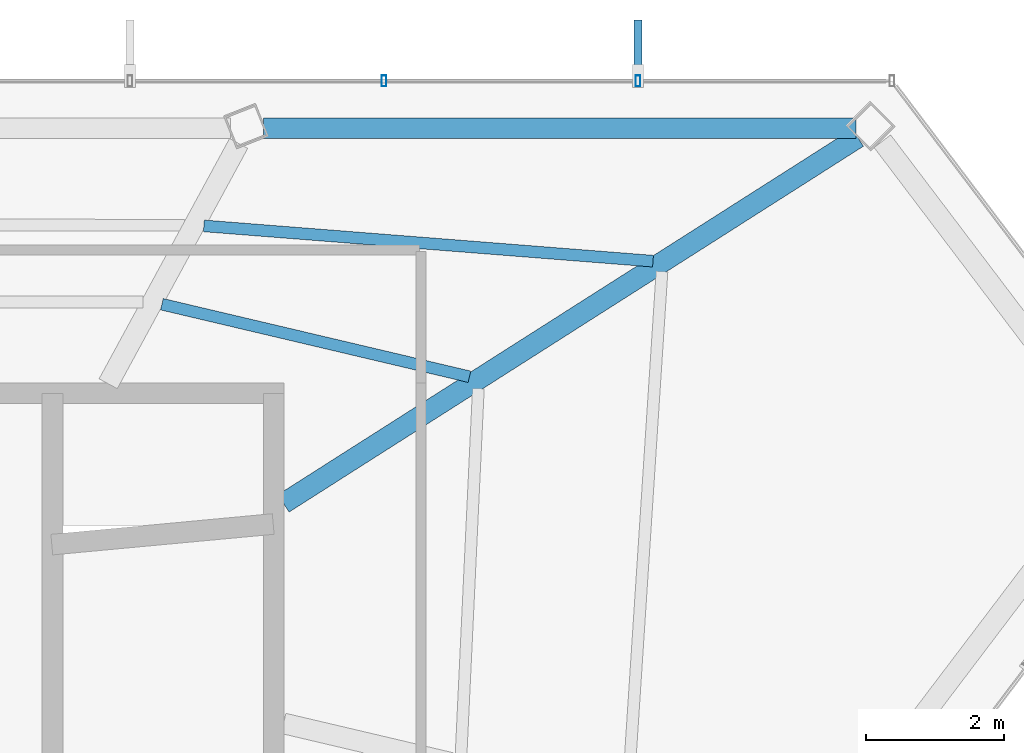
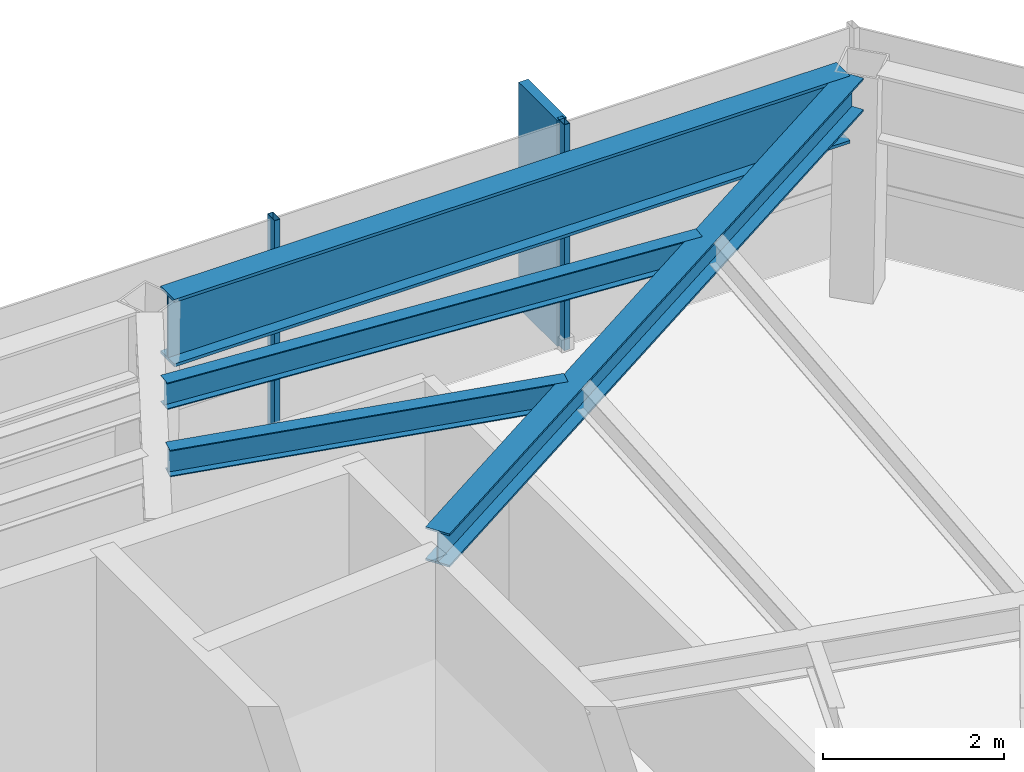
# One storey, part 19 of 24: 4 beams, 3 members, 1 element without a shape of its own.
"""IFC4 building model written with IfcOpenShell, lengths in metres."""

from ifc_helpers import new_model, si_unit, direction, frame, origin, origin_2d, place, context, subcontext, project, spatial, rectangle, hollow_rectangle, i_section, extrude, material, layer, layer_set, material_profile, profile_set, type_object, element, aggregate, save


model = new_model("IFC4")

# Units and contexts
model_context = context("Model", 3, precision=1e-05, world=origin(), true_north=direction((0.0, 1.0)))
body_context = subcontext(model_context, "Body", "Model", "MODEL_VIEW")
ifc_project = project(units=[si_unit("LENGTHUNIT", "METRE"), si_unit("AREAUNIT", "SQUARE_METRE"), si_unit("VOLUMEUNIT", "CUBIC_METRE"), si_unit("PLANEANGLEUNIT", "RADIAN"), si_unit("MASSUNIT", "GRAM", prefix="KILO")], contexts=[model_context])

# Site, building, storey
site_placement = place(None, origin())
site = spatial("IfcSite", under=ifc_project, at=site_placement, CompositionType="ELEMENT")
building_placement = place(site_placement, origin())
building = spatial("IfcBuilding", under=site, at=building_placement, Name="Zarrinselat Tower", CompositionType="ELEMENT")
storey_placement = place(building_placement, frame((0.0, 0.0, 249.56005859375)))
storey = spatial("IfcBuildingStorey", under=building, at=storey_placement, Name="L63", CompositionType="ELEMENT", Elevation=249.56005859375)

# Beams
ifc_material_1 = material(Name="Steel S355J2", Category="steel")
ifc_material_profile_1 = material_profile(ifc_material_1, i_section(OverallWidth=0.300048828125, OverallDepth=0.449951171875, WebThickness=0.013916015625, FlangeThickness=0.02587890625, at=origin_2d()), Name="HEB 450")
ifc_profile_set_1 = profile_set([ifc_material_profile_1], Name="Steel S355J2")
beam_type_1 = type_object("IfcBeamType", Name="BM-HEB450", PredefinedType="BEAM", material=ifc_profile_set_1)
beam_1_placement = place(storey_placement, frame((48.35009765625, 41.800048828125, 2.824951171875), z_axis=(0.843448246509, 0.537210438712, 0.0), x_axis=(-0.537210438712, 0.843448246509, 0.0)))
element("IfcBeam", 1, at=beam_1_placement, inside=storey, type_object=beam_type_1, Name="L63 Radial Primary Girder RG01", PredefinedType="BEAM", context=body_context, shape_type="SweptSolid", body=[
    extrude(i_section(OverallWidth=0.300048828125, OverallDepth=0.449951171875, WebThickness=0.013916015625, FlangeThickness=0.02587890625, at=origin_2d()), origin(), (0.0, 0.0, 1.0), 9.903076171875),
])
ifc_material_2 = material(Name="Steel S460M", Category="steel")
ifc_material_profile_2 = material_profile(ifc_material_2, i_section(OverallWidth=0.302001953125, OverallDepth=0.909912109375, WebThickness=0.02099609375, FlangeThickness=0.0400390625, at=origin_2d()), Name="HEM 900")
ifc_profile_set_2 = profile_set([ifc_material_profile_2], Name="Steel S460M")
beam_type_2 = type_object("IfcBeamType", Name="BM-HEM900", PredefinedType="BEAM", material=ifc_profile_set_2)
beam_2_placement = place(storey_placement, frame((48.05517578125, 47.255615234375, 2.594970703125), z_axis=(1.0, 0.0, 0.0), x_axis=(0.0, 1.0, 0.0)))
element("IfcBeam", 2, at=beam_2_placement, inside=storey, type_object=beam_type_2, Name="L63 Perimeter Spandrel Girder SP01", PredefinedType="BEAM", context=body_context, shape_type="SweptSolid", body=[
    extrude(i_section(OverallWidth=0.302001953125, OverallDepth=0.909912109375, WebThickness=0.02099609375, FlangeThickness=0.0400390625, at=origin_2d()), origin(), (0.0, 0.0, 1.0), 8.622314453125),
])
ifc_material_3 = material(Name="Steel S355J2", Category="steel")
ifc_material_profile_3 = material_profile(ifc_material_3, i_section(OverallWidth=0.169921875, OverallDepth=0.360107421875, WebThickness=0.008056640625, FlangeThickness=0.0126953125, at=origin_2d()), Name="IPE 360")
ifc_profile_set_3 = profile_set([ifc_material_profile_3], Name="Steel S355J2")
beam_type_3 = type_object("IfcBeamType", Name="BM-IPE360", PredefinedType="JOIST", material=ifc_profile_set_3)
beam_3_placement = place(storey_placement, frame((47.191650390625, 45.835205078125, 2.869873046875), z_axis=(0.996930684056, -0.078289278882, 0.0), x_axis=(0.078289278882, 0.996930684056, 0.0)))
element("IfcBeam", 3, at=beam_3_placement, inside=storey, type_object=beam_type_3, Name="L63 Composite Floor Joist 6-1", PredefinedType="JOIST", context=body_context, shape_type="SweptSolid", body=[
    extrude(i_section(OverallWidth=0.169921875, OverallDepth=0.360107421875, WebThickness=0.008056640625, FlangeThickness=0.0126953125, at=origin_2d()), origin(), (0.0, 0.0, 1.0), 6.5517578125),
])
beam_4_placement = place(storey_placement, frame((46.581298828125, 44.69580078125, 2.869873046875), z_axis=(0.973302772448, -0.229524972814, 0.0), x_axis=(0.229524972814, 0.973302772448, 0.0)))
element("IfcBeam", 4, at=beam_4_placement, inside=storey, type_object=beam_type_3, Name="L63 Composite Floor Joist 6-2", PredefinedType="JOIST", context=body_context, shape_type="SweptSolid", body=[
    extrude(i_section(OverallWidth=0.169921875, OverallDepth=0.360107421875, WebThickness=0.008056640625, FlangeThickness=0.0126953125, at=origin_2d()), origin(), (0.0, 0.0, 1.0), 4.594970703125),
])

# Curtain wall, members
ifc_material_4 = material(Name="Extruded Aluminium Alloy EN AW-6063 T6", Category="aluminium")
ifc_layer = layer(ifc_material_4, 0.169921875)
ifc_layer_set = layer_set([ifc_layer], Name="Extruded Aluminium Alloy EN AW-6063 T6")
curtain_wall_type = type_object("IfcCurtainWallType", Name="CWS-RES", PredefinedType="NOTDEFINED", material=ifc_layer_set)
curtain_wall_placement = place(storey_placement, origin())
curtain_wall = element("IfcCurtainWall", 5, at=curtain_wall_placement, inside=storey, type_object=curtain_wall_type, Name="L63 Unitised Curtain Wall CW-L63-E01", PredefinedType="NOTDEFINED")
ifc_material_5 = material(Name="Extruded Aluminium Alloy EN AW-6063 T6", Category="aluminium")
ifc_material_profile_4 = material_profile(ifc_material_5, hollow_rectangle(XDim=0.070068359375, YDim=0.159912109375, WallThickness=0.00390625, at=origin_2d()), Name="RHS 160x70x4")
ifc_profile_set_4 = profile_set([ifc_material_profile_4], Name="Extruded Aluminium Alloy EN AW-6063 T6")
member_type_1 = type_object("IfcMemberType", Name="MEM-CW-MUL2", PredefinedType="MULLION", material=ifc_profile_set_4)
member_1_placement = place(storey_placement, frame((53.505126953125, 47.944580078125, 0.0), z_axis=(0.0, 0.0, 1.0), x_axis=(-1.0, 0.0, 0.0)))
member_1 = element("IfcMember", 6, at=member_1_placement, type_object=member_type_1, Name="CW-L63-E01 Mullion 1", PredefinedType="MULLION", context=body_context, shape_type="SweptSolid", body=[
    extrude(hollow_rectangle(XDim=0.070068359375, YDim=0.159912109375, WallThickness=0.00390625, at=origin_2d()), origin(), (0.0, 0.0, 1.0), 3.050048828125),
])
member_2_placement = place(storey_placement, frame((49.810546875, 47.944580078125, 0.0), z_axis=(0.0, 0.0, 1.0), x_axis=(-1.0, 0.0, 0.0)))
member_2 = element("IfcMember", 7, at=member_2_placement, type_object=member_type_1, Name="CW-L63-E01 Mullion 2", PredefinedType="MULLION", context=body_context, shape_type="SweptSolid", body=[
    extrude(hollow_rectangle(XDim=0.070068359375, YDim=0.159912109375, WallThickness=0.00390625, at=origin_2d()), origin(), (0.0, 0.0, 1.0), 3.050048828125),
])
ifc_material_6 = material(Name="Honed Cream Travertine Stone", Category="masonry")
ifc_material_profile_5 = material_profile(ifc_material_6, rectangle(XDim=0.1201171875, YDim=0.85009765625, at=origin_2d()), Name="FIN 850x120")
ifc_profile_set_5 = profile_set([ifc_material_profile_5], Name="Honed Cream Travertine Stone")
member_type_2 = type_object("IfcMemberType", Name="MEM-STONE-FIN", PredefinedType="USERDEFINED", material=ifc_profile_set_5)
member_3_placement = place(storey_placement, frame((53.505126953125, 48.404541015625, 0.0), z_axis=(0.0, 0.0, 1.0), x_axis=(1.0, 0.0, 0.0)))
member_3 = element("IfcMember", 8, at=member_3_placement, type_object=member_type_2, Name="L63 Stone Shading Fin CW-L63-E01-01", ObjectType="FIN", PredefinedType="USERDEFINED", context=body_context, shape_type="SweptSolid", body=[
    extrude(rectangle(XDim=0.1201171875, YDim=0.85009765625, at=origin_2d()), origin(), (0.0, 0.0, 1.0), 3.050048828125),
])
aggregate(curtain_wall, [member_1, member_3, member_2])

save(model, "model.ifc")
